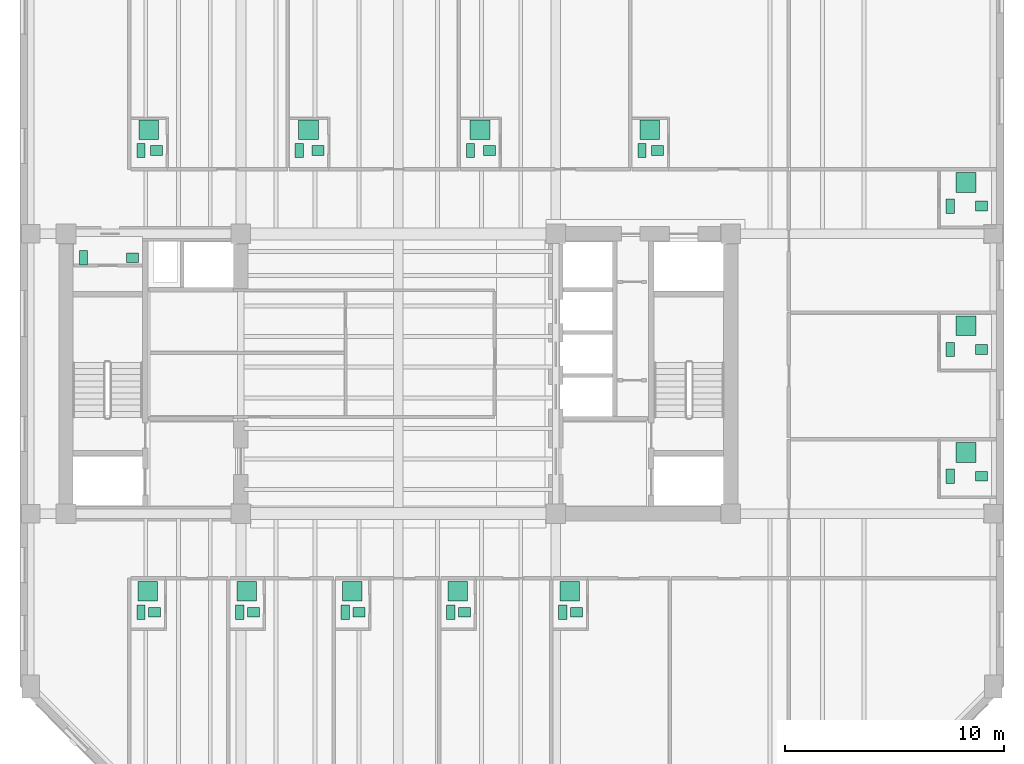
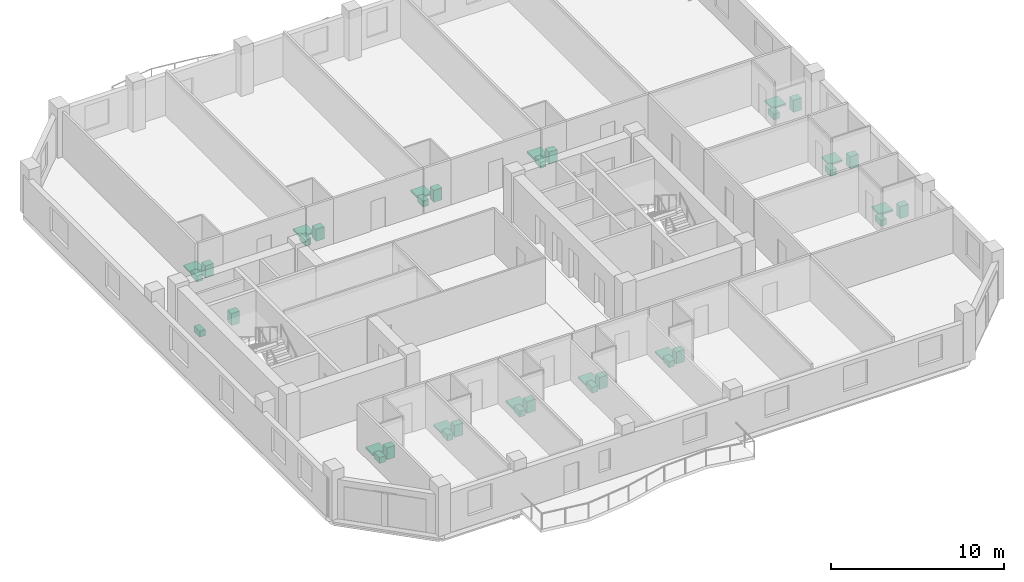
# One storey, part 11 of 11: 38 sanitary terminals.
"""IFC4 building model written with IfcOpenShell, lengths in metres."""

from ifc_helpers import new_model, si_unit, direction, frame, origin, origin_2d, place, context, subcontext, project, spatial, rectangle, extrude, material, type_object, element, save


model = new_model("IFC4")

# Units and contexts
model_context = context("Model", 3, precision=1e-05, world=origin(), true_north=direction((0.0, 1.0)))
body_context = subcontext(model_context, "Body", "Model", "MODEL_VIEW")
ifc_project = project(units=[si_unit("LENGTHUNIT", "METRE"), si_unit("AREAUNIT", "SQUARE_METRE"), si_unit("VOLUMEUNIT", "CUBIC_METRE"), si_unit("PLANEANGLEUNIT", "RADIAN"), si_unit("MASSUNIT", "GRAM", prefix="KILO")], contexts=[model_context])

# Site, building, storey
site_placement = place(None, origin())
site = spatial("IfcSite", under=ifc_project, at=site_placement, CompositionType="ELEMENT")
building_placement = place(site_placement, origin())
building = spatial("IfcBuilding", under=site, at=building_placement, Name="Kranthara Brick Stack", CompositionType="ELEMENT")
storey_placement = place(building_placement, frame((0.0, 0.0, 176.300048828125)))
storey = spatial("IfcBuildingStorey", under=building, at=storey_placement, Name="L45", CompositionType="ELEMENT", Elevation=176.300048828125)

# Sanitary terminals
ifc_material_1 = material(Name="Vitreous china sanitary porcelain", Category="other")
sanitary_terminal_type_1 = type_object("IfcSanitaryTerminalType", Name="SAN-BASIN", PredefinedType="WASHHANDBASIN", material=ifc_material_1)
for number, where, z_axis, x_axis, name in (
    (1, (15.85009765625, 32.5048828125, 0.0), (0.0, 0.0, 1.0), (1.0, 0.0, 0.0), "L45 Washbasin 232"),
    (2, (16.860107421875, 16.294921875, 0.0), (0.0, 0.0, 1.0), (1.0, 0.0, 0.0), "L45 Washbasin 233"),
    (3, (21.383056640625, 16.294921875, 0.0), (0.0, 0.0, 1.0), (1.0, 0.0, 0.0), "L45 Washbasin 234"),
    (4, (26.20703125, 16.294921875, 0.0), (0.0, 0.0, 1.0), (1.0, 0.0, 0.0), "L45 Washbasin 235"),
    (5, (31.030029296875, 16.294921875, 0.0), (0.0, 0.0, 1.0), (1.0, 0.0, 0.0), "L45 Washbasin 236"),
    (6, (36.156005859375, 16.294921875, 0.0), (0.0, 0.0, 1.0), (1.0, 0.0, 0.0), "L45 Washbasin 237"),
    (7, (16.947021484375, 37.405029296875, 0.0), (0.0, 0.0, 1.0), (1.0, 0.0, 0.0), "L45 Washbasin 238"),
    (8, (24.326904296875, 37.405029296875, 0.0), (0.0, 0.0, 1.0), (1.0, 0.0, 0.0), "L45 Washbasin 239"),
    (9, (32.166015625, 37.405029296875, 0.0), (0.0, 0.0, 1.0), (1.0, 0.0, 0.0), "L45 Washbasin 240"),
    (10, (39.861083984375, 37.405029296875, 0.0), (0.0, 0.0, 1.0), (1.0, 0.0, 0.0), "L45 Washbasin 241"),
    (11, (54.679931640625, 22.514892578125, 0.0), (0.0, 0.0, 1.0), (1.0, 0.0, 0.0), "L45 Washbasin 242"),
    (12, (54.679931640625, 28.31494140625, 0.0), (0.0, 0.0, 1.0), (1.0, 0.0, 0.0), "L45 Washbasin 243"),
    (13, (54.679931640625, 34.864990234375, 0.0), (0.0, 0.0, 1.0), (1.0, 0.0, 0.0), "L45 Washbasin 244"),
):
    element("IfcSanitaryTerminal", number, at=place(storey_placement, frame(where, z_axis=z_axis, x_axis=x_axis)), inside=storey, type_object=sanitary_terminal_type_1, Name=name, PredefinedType="WASHHANDBASIN", context=body_context, shape_type="SweptSolid", body=[
        extrude(rectangle(XDim=0.550048828125, YDim=0.449951171875, at=origin_2d()), origin(), (0.0, 0.0, 1.0), 0.85009765625),
    ])
ifc_material_2 = material(Name="Acrylic and porcelain shower tray", Category="other")
sanitary_terminal_type_2 = type_object("IfcSanitaryTerminalType", Name="SAN-SHOWER", PredefinedType="SHOWER", material=ifc_material_2)
for number, where, z_axis, x_axis, name in (
    (14, (16.544921875, 17.25, 0.0), (0.0, 0.0, 1.0), (1.0, 0.0, 0.0), "L45 Shower Tray 233"),
    (15, (21.068115234375, 17.25, 0.0), (0.0, 0.0, 1.0), (1.0, 0.0, 0.0), "L45 Shower Tray 234"),
    (16, (25.89208984375, 17.25, 0.0), (0.0, 0.0, 1.0), (1.0, 0.0, 0.0), "L45 Shower Tray 235"),
    (17, (30.715087890625, 17.25, 0.0), (0.0, 0.0, 1.0), (1.0, 0.0, 0.0), "L45 Shower Tray 236"),
    (18, (35.841064453125, 17.25, 0.0), (0.0, 0.0, 1.0), (1.0, 0.0, 0.0), "L45 Shower Tray 237"),
    (19, (16.587890625, 38.360107421875, 0.0), (0.0, 0.0, 1.0), (1.0, 0.0, 0.0), "L45 Shower Tray 238"),
    (20, (23.89697265625, 38.360107421875, 0.0), (0.0, 0.0, 1.0), (1.0, 0.0, 0.0), "L45 Shower Tray 239"),
    (21, (31.736083984375, 38.360107421875, 0.0), (0.0, 0.0, 1.0), (1.0, 0.0, 0.0), "L45 Shower Tray 240"),
    (22, (39.501953125, 38.360107421875, 0.0), (0.0, 0.0, 1.0), (1.0, 0.0, 0.0), "L45 Shower Tray 241"),
    (23, (53.9599609375, 23.60009765625, 0.0), (0.0, 0.0, 1.0), (1.0, 0.0, 0.0), "L45 Shower Tray 242"),
    (24, (53.9599609375, 29.39990234375, 0.0), (0.0, 0.0, 1.0), (1.0, 0.0, 0.0), "L45 Shower Tray 243"),
    (25, (53.9599609375, 35.949951171875, 0.0), (0.0, 0.0, 1.0), (1.0, 0.0, 0.0), "L45 Shower Tray 244"),
):
    element("IfcSanitaryTerminal", number, at=place(storey_placement, frame(where, z_axis=z_axis, x_axis=x_axis)), inside=storey, type_object=sanitary_terminal_type_2, Name=name, PredefinedType="SHOWER", context=body_context, shape_type="SweptSolid", body=[
        extrude(rectangle(XDim=0.89990234375, YDim=0.89990234375, at=origin_2d()), origin(), (0.0, 0.0, 1.0), 0.1201171875),
    ])
ifc_material_3 = material(Name="Vitreous china sanitary porcelain", Category="other")
sanitary_terminal_type_3 = type_object("IfcSanitaryTerminalType", Name="SAN-WC-PAN", PredefinedType="TOILETPAN", material=ifc_material_3)
for number, where, z_axis, x_axis, name in (
    (26, (13.60009765625, 32.5048828125, 0.0), (0.0, 0.0, 1.0), (1.0, 0.0, 0.0), "L45 WC Pan 232"),
    (27, (16.22998046875, 16.294921875, 0.0), (0.0, 0.0, 1.0), (1.0, 0.0, 0.0), "L45 WC Pan 233"),
    (28, (20.7529296875, 16.294921875, 0.0), (0.0, 0.0, 1.0), (1.0, 0.0, 0.0), "L45 WC Pan 234"),
    (29, (25.576904296875, 16.294921875, 0.0), (0.0, 0.0, 1.0), (1.0, 0.0, 0.0), "L45 WC Pan 235"),
    (30, (30.39990234375, 16.294921875, 0.0), (0.0, 0.0, 1.0), (1.0, 0.0, 0.0), "L45 WC Pan 236"),
    (31, (35.52587890625, 16.294921875, 0.0), (0.0, 0.0, 1.0), (1.0, 0.0, 0.0), "L45 WC Pan 237"),
    (32, (16.22998046875, 37.405029296875, 0.0), (0.0, 0.0, 1.0), (1.0, 0.0, 0.0), "L45 WC Pan 238"),
    (33, (23.466064453125, 37.405029296875, 0.0), (0.0, 0.0, 1.0), (1.0, 0.0, 0.0), "L45 WC Pan 239"),
    (34, (31.304931640625, 37.405029296875, 0.0), (0.0, 0.0, 1.0), (1.0, 0.0, 0.0), "L45 WC Pan 240"),
    (35, (39.14404296875, 37.405029296875, 0.0), (0.0, 0.0, 1.0), (1.0, 0.0, 0.0), "L45 WC Pan 241"),
    (36, (53.239990234375, 22.514892578125, 0.0), (0.0, 0.0, 1.0), (1.0, 0.0, 0.0), "L45 WC Pan 242"),
    (37, (53.239990234375, 28.31494140625, 0.0), (0.0, 0.0, 1.0), (1.0, 0.0, 0.0), "L45 WC Pan 243"),
    (38, (53.239990234375, 34.864990234375, 0.0), (0.0, 0.0, 1.0), (1.0, 0.0, 0.0), "L45 WC Pan 244"),
):
    element("IfcSanitaryTerminal", number, at=place(storey_placement, frame(where, z_axis=z_axis, x_axis=x_axis)), inside=storey, type_object=sanitary_terminal_type_3, Name=name, PredefinedType="TOILETPAN", context=body_context, shape_type="SweptSolid", body=[
        extrude(rectangle(XDim=0.3798828125, YDim=0.64990234375, at=origin_2d()), origin(), (0.0, 0.0, 1.0), 0.419921875),
    ])

save(model, "model.ifc")
